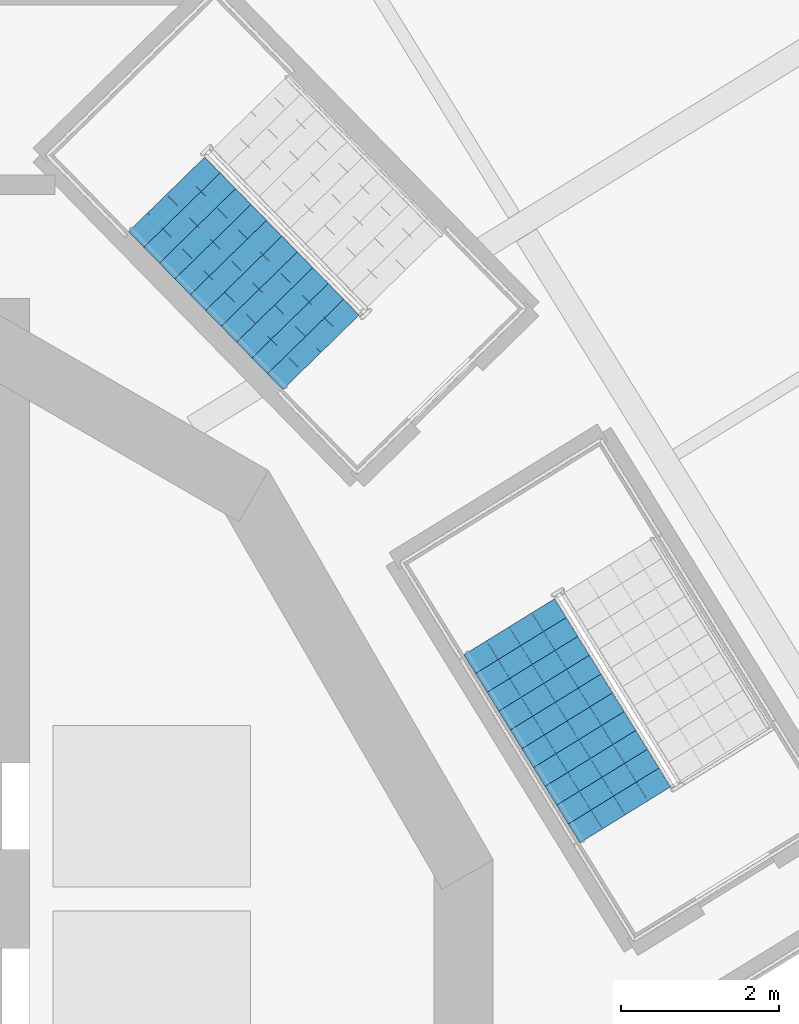
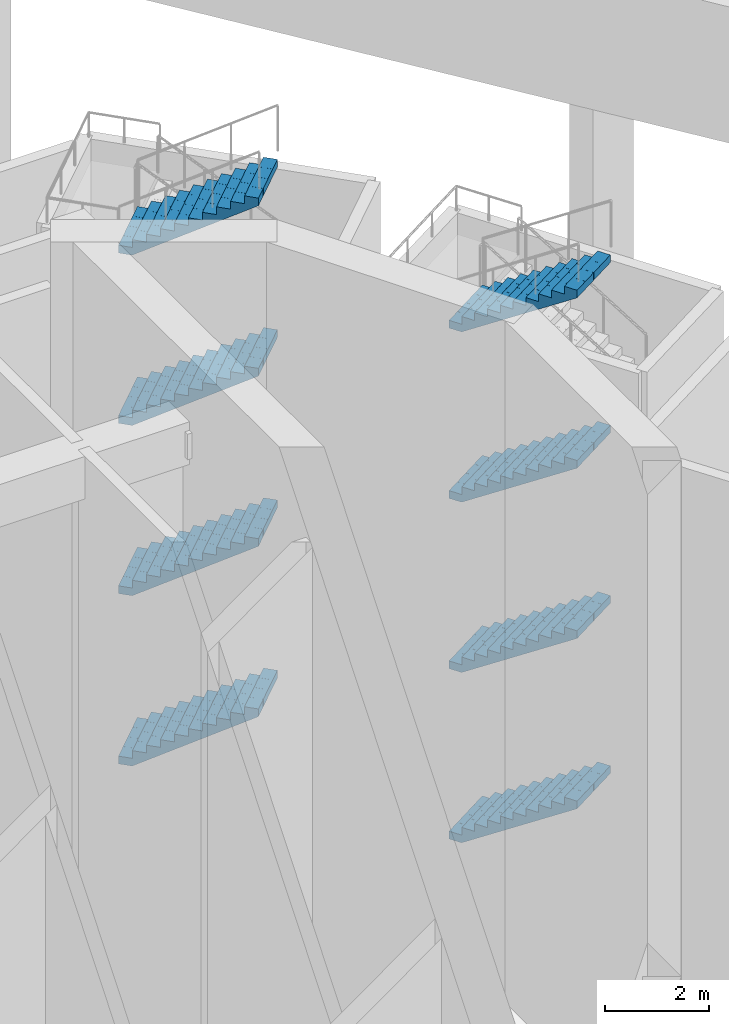
# One storey, part 7 of 15: 8 stair flights, 2 elements without a shape of their own.
"""IFC4 building model written with IfcOpenShell, lengths in metres."""

from ifc_helpers import new_model, si_unit, direction, frame, origin, place, context, subcontext, project, spatial, polyline, outline, extrude, material, type_object, element, aggregate, save


model = new_model("IFC4")

# Units and contexts
model_context = context("Model", 3, precision=1e-05, world=origin(), true_north=direction((0.0, 1.0)))
body_context = subcontext(model_context, "Body", "Model", "MODEL_VIEW")
ifc_project = project(units=[si_unit("LENGTHUNIT", "METRE"), si_unit("AREAUNIT", "SQUARE_METRE"), si_unit("VOLUMEUNIT", "CUBIC_METRE"), si_unit("PLANEANGLEUNIT", "RADIAN"), si_unit("MASSUNIT", "GRAM", prefix="KILO")], contexts=[model_context])

# Site, building, storey
site_placement = place(None, origin())
site = spatial("IfcSite", under=ifc_project, at=site_placement, CompositionType="ELEMENT")
building_placement = place(site_placement, origin())
building = spatial("IfcBuilding", under=site, at=building_placement, Name="Cantera Rosa Tower", CompositionType="ELEMENT")
storey_placement = place(building_placement, frame((0.0, 0.0, 189.39990234375)))
storey = spatial("IfcBuildingStorey", under=building, at=storey_placement, Name="L42", CompositionType="ELEMENT", Elevation=189.39990234375)

# Stair, stair flights
ifc_material_1 = material(Name="Concrete C35/45", Category="concrete")
stair_type = type_object("IfcStairType", Name="EXIT STAIR 1350 DOGLEG", PredefinedType="HALF_TURN_STAIR", material=ifc_material_1)
stair_1_placement = place(storey_placement, origin())
stair_1 = element("IfcStair", 1, at=stair_1_placement, inside=storey, type_object=stair_type, Name="L42 ST-41", PredefinedType="HALF_TURN_STAIR")
ifc_material_2 = material(Name="Concrete C35/45", Category="concrete")
stair_flight_type = type_object("IfcStairFlightType", Name="STAIR FLIGHT 1350 R88x182", PredefinedType="STRAIGHT", material=ifc_material_2)
stair_flight_1_placement = place(storey_placement, frame((10.82666015625, 5.7978515625, 2.0), z_axis=(0.0, 0.0, 1.0), x_axis=(0.524976585286, -0.851116669383, 0.0)))
stair_flight_1 = element("IfcStairFlight", 2, at=stair_flight_1_placement, type_object=stair_flight_type, Name="ST-41 flight 2", NumberOfRisers=11, NumberOfTreads=10, PredefinedType="STRAIGHT", RiserHeight=0.181818182, TreadLength=0.28, context=body_context, shape_type="SweptSolid", body=[
    extrude(outline(polyline([(0.0, 0.0), (0.0, 0.181884765625), (0.280029296875, 0.181884765625), (0.280029296875, 0.363525390625), (0.56005859375, 0.363525390625), (0.56005859375, 0.54541015625), (0.840087890625, 0.54541015625), (0.840087890625, 0.727294921875), (1.1201171875, 0.727294921875), (1.1201171875, 0.9091796875), (1.39990234375, 0.9091796875), (1.39990234375, 1.0908203125), (1.679931640625, 1.0908203125), (1.679931640625, 1.272705078125), (1.9599609375, 1.272705078125), (1.9599609375, 1.45458984375), (2.239990234375, 1.45458984375), (2.239990234375, 1.636474609375), (2.52001953125, 1.636474609375), (2.52001953125, 1.818115234375), (2.800048828125, 1.818115234375), (2.800048828125, 2.0), (2.800048828125, 1.639404296875), (0.275146484375, 0.0), (0.0, 0.0)])), frame((0.0, 0.675048828125, 0.0), z_axis=(0.0, -1.0, 0.0), x_axis=(1.0, 0.0, 0.0)), (0.0, 0.0, 1.0), 0.3359375),
    extrude(outline(polyline([(0.0, 0.0), (0.0, 0.181884765625), (0.280029296875, 0.181884765625), (0.280029296875, 0.363525390625), (0.56005859375, 0.363525390625), (0.56005859375, 0.54541015625), (0.840087890625, 0.54541015625), (0.840087890625, 0.727294921875), (1.1201171875, 0.727294921875), (1.1201171875, 0.9091796875), (1.39990234375, 0.9091796875), (1.39990234375, 1.0908203125), (1.679931640625, 1.0908203125), (1.679931640625, 1.272705078125), (1.9599609375, 1.272705078125), (1.9599609375, 1.45458984375), (2.239990234375, 1.45458984375), (2.239990234375, 1.636474609375), (2.52001953125, 1.636474609375), (2.52001953125, 1.818115234375), (2.800048828125, 1.818115234375), (2.800048828125, 2.0), (2.800048828125, 1.639404296875), (0.275146484375, 0.0), (0.0, 0.0)])), frame((0.0, 0.337158203125, 0.0), z_axis=(0.0, -1.0, 0.0), x_axis=(1.0, 0.0, 0.0)), (0.0, 0.0, 1.0), 0.3359375),
    extrude(outline(polyline([(0.0, 0.0), (0.0, 0.181884765625), (0.280029296875, 0.181884765625), (0.280029296875, 0.363525390625), (0.56005859375, 0.363525390625), (0.56005859375, 0.54541015625), (0.840087890625, 0.54541015625), (0.840087890625, 0.727294921875), (1.1201171875, 0.727294921875), (1.1201171875, 0.9091796875), (1.39990234375, 0.9091796875), (1.39990234375, 1.0908203125), (1.679931640625, 1.0908203125), (1.679931640625, 1.272705078125), (1.9599609375, 1.272705078125), (1.9599609375, 1.45458984375), (2.239990234375, 1.45458984375), (2.239990234375, 1.636474609375), (2.52001953125, 1.636474609375), (2.52001953125, 1.818115234375), (2.800048828125, 1.818115234375), (2.800048828125, 2.0), (2.800048828125, 1.639404296875), (0.275146484375, 0.0), (0.0, 0.0)])), frame((0.0, -0.000732421875, 0.0), z_axis=(0.0, -1.0, 0.0), x_axis=(1.0, 0.0, 0.0)), (0.0, 0.0, 1.0), 0.3359375),
    extrude(outline(polyline([(0.0, 0.0), (0.0, 0.181884765625), (0.280029296875, 0.181884765625), (0.280029296875, 0.363525390625), (0.56005859375, 0.363525390625), (0.56005859375, 0.54541015625), (0.840087890625, 0.54541015625), (0.840087890625, 0.727294921875), (1.1201171875, 0.727294921875), (1.1201171875, 0.9091796875), (1.39990234375, 0.9091796875), (1.39990234375, 1.0908203125), (1.679931640625, 1.0908203125), (1.679931640625, 1.272705078125), (1.9599609375, 1.272705078125), (1.9599609375, 1.45458984375), (2.239990234375, 1.45458984375), (2.239990234375, 1.636474609375), (2.52001953125, 1.636474609375), (2.52001953125, 1.818115234375), (2.800048828125, 1.818115234375), (2.800048828125, 2.0), (2.800048828125, 1.639404296875), (0.275146484375, 0.0), (0.0, 0.0)])), frame((0.0, -0.338623046875, 0.0), z_axis=(0.0, -1.0, 0.0), x_axis=(1.0, 0.0, 0.0)), (0.0, 0.0, 1.0), 0.3359375),
])
stair_flight_2_placement = place(storey_placement, frame((10.82666015625, 5.7978515625, 6.0), z_axis=(0.0, 0.0, 1.0), x_axis=(0.524976585286, -0.851116669383, 0.0)))
stair_flight_2 = element("IfcStairFlight", 3, at=stair_flight_2_placement, type_object=stair_flight_type, Name="ST-41 flight 4", NumberOfRisers=11, NumberOfTreads=10, PredefinedType="STRAIGHT", RiserHeight=0.181818182, TreadLength=0.28, context=body_context, shape_type="SweptSolid", body=[
    extrude(outline(polyline([(0.0, 0.0), (0.0, 0.181884765625), (0.280029296875, 0.181884765625), (0.280029296875, 0.363525390625), (0.56005859375, 0.363525390625), (0.56005859375, 0.54541015625), (0.840087890625, 0.54541015625), (0.840087890625, 0.727294921875), (1.1201171875, 0.727294921875), (1.1201171875, 0.9091796875), (1.39990234375, 0.9091796875), (1.39990234375, 1.0908203125), (1.679931640625, 1.0908203125), (1.679931640625, 1.272705078125), (1.9599609375, 1.272705078125), (1.9599609375, 1.45458984375), (2.239990234375, 1.45458984375), (2.239990234375, 1.636474609375), (2.52001953125, 1.636474609375), (2.52001953125, 1.818115234375), (2.800048828125, 1.818115234375), (2.800048828125, 2.0), (2.800048828125, 1.639404296875), (0.275146484375, 0.0), (0.0, 0.0)])), frame((0.0, 0.675048828125, 0.0), z_axis=(0.0, -1.0, 0.0), x_axis=(1.0, 0.0, 0.0)), (0.0, 0.0, 1.0), 0.3359375),
    extrude(outline(polyline([(0.0, 0.0), (0.0, 0.181884765625), (0.280029296875, 0.181884765625), (0.280029296875, 0.363525390625), (0.56005859375, 0.363525390625), (0.56005859375, 0.54541015625), (0.840087890625, 0.54541015625), (0.840087890625, 0.727294921875), (1.1201171875, 0.727294921875), (1.1201171875, 0.9091796875), (1.39990234375, 0.9091796875), (1.39990234375, 1.0908203125), (1.679931640625, 1.0908203125), (1.679931640625, 1.272705078125), (1.9599609375, 1.272705078125), (1.9599609375, 1.45458984375), (2.239990234375, 1.45458984375), (2.239990234375, 1.636474609375), (2.52001953125, 1.636474609375), (2.52001953125, 1.818115234375), (2.800048828125, 1.818115234375), (2.800048828125, 2.0), (2.800048828125, 1.639404296875), (0.275146484375, 0.0), (0.0, 0.0)])), frame((0.0, 0.337158203125, 0.0), z_axis=(0.0, -1.0, 0.0), x_axis=(1.0, 0.0, 0.0)), (0.0, 0.0, 1.0), 0.3359375),
    extrude(outline(polyline([(0.0, 0.0), (0.0, 0.181884765625), (0.280029296875, 0.181884765625), (0.280029296875, 0.363525390625), (0.56005859375, 0.363525390625), (0.56005859375, 0.54541015625), (0.840087890625, 0.54541015625), (0.840087890625, 0.727294921875), (1.1201171875, 0.727294921875), (1.1201171875, 0.9091796875), (1.39990234375, 0.9091796875), (1.39990234375, 1.0908203125), (1.679931640625, 1.0908203125), (1.679931640625, 1.272705078125), (1.9599609375, 1.272705078125), (1.9599609375, 1.45458984375), (2.239990234375, 1.45458984375), (2.239990234375, 1.636474609375), (2.52001953125, 1.636474609375), (2.52001953125, 1.818115234375), (2.800048828125, 1.818115234375), (2.800048828125, 2.0), (2.800048828125, 1.639404296875), (0.275146484375, 0.0), (0.0, 0.0)])), frame((0.0, -0.000732421875, 0.0), z_axis=(0.0, -1.0, 0.0), x_axis=(1.0, 0.0, 0.0)), (0.0, 0.0, 1.0), 0.3359375),
    extrude(outline(polyline([(0.0, 0.0), (0.0, 0.181884765625), (0.280029296875, 0.181884765625), (0.280029296875, 0.363525390625), (0.56005859375, 0.363525390625), (0.56005859375, 0.54541015625), (0.840087890625, 0.54541015625), (0.840087890625, 0.727294921875), (1.1201171875, 0.727294921875), (1.1201171875, 0.9091796875), (1.39990234375, 0.9091796875), (1.39990234375, 1.0908203125), (1.679931640625, 1.0908203125), (1.679931640625, 1.272705078125), (1.9599609375, 1.272705078125), (1.9599609375, 1.45458984375), (2.239990234375, 1.45458984375), (2.239990234375, 1.636474609375), (2.52001953125, 1.636474609375), (2.52001953125, 1.818115234375), (2.800048828125, 1.818115234375), (2.800048828125, 2.0), (2.800048828125, 1.639404296875), (0.275146484375, 0.0), (0.0, 0.0)])), frame((0.0, -0.338623046875, 0.0), z_axis=(0.0, -1.0, 0.0), x_axis=(1.0, 0.0, 0.0)), (0.0, 0.0, 1.0), 0.3359375),
])
stair_flight_3_placement = place(storey_placement, frame((10.82666015625, 5.7978515625, 10.0), z_axis=(0.0, 0.0, 1.0), x_axis=(0.524976585286, -0.851116669383, 0.0)))
stair_flight_3 = element("IfcStairFlight", 4, at=stair_flight_3_placement, type_object=stair_flight_type, Name="ST-41 flight 6", NumberOfRisers=11, NumberOfTreads=10, PredefinedType="STRAIGHT", RiserHeight=0.181818182, TreadLength=0.28, context=body_context, shape_type="SweptSolid", body=[
    extrude(outline(polyline([(0.0, 0.0), (0.0, 0.181884765625), (0.280029296875, 0.181884765625), (0.280029296875, 0.363525390625), (0.56005859375, 0.363525390625), (0.56005859375, 0.54541015625), (0.840087890625, 0.54541015625), (0.840087890625, 0.727294921875), (1.1201171875, 0.727294921875), (1.1201171875, 0.9091796875), (1.39990234375, 0.9091796875), (1.39990234375, 1.0908203125), (1.679931640625, 1.0908203125), (1.679931640625, 1.272705078125), (1.9599609375, 1.272705078125), (1.9599609375, 1.45458984375), (2.239990234375, 1.45458984375), (2.239990234375, 1.636474609375), (2.52001953125, 1.636474609375), (2.52001953125, 1.818115234375), (2.800048828125, 1.818115234375), (2.800048828125, 2.0), (2.800048828125, 1.639404296875), (0.275146484375, 0.0), (0.0, 0.0)])), frame((0.0, 0.675048828125, 0.0), z_axis=(0.0, -1.0, 0.0), x_axis=(1.0, 0.0, 0.0)), (0.0, 0.0, 1.0), 0.3359375),
    extrude(outline(polyline([(0.0, 0.0), (0.0, 0.181884765625), (0.280029296875, 0.181884765625), (0.280029296875, 0.363525390625), (0.56005859375, 0.363525390625), (0.56005859375, 0.54541015625), (0.840087890625, 0.54541015625), (0.840087890625, 0.727294921875), (1.1201171875, 0.727294921875), (1.1201171875, 0.9091796875), (1.39990234375, 0.9091796875), (1.39990234375, 1.0908203125), (1.679931640625, 1.0908203125), (1.679931640625, 1.272705078125), (1.9599609375, 1.272705078125), (1.9599609375, 1.45458984375), (2.239990234375, 1.45458984375), (2.239990234375, 1.636474609375), (2.52001953125, 1.636474609375), (2.52001953125, 1.818115234375), (2.800048828125, 1.818115234375), (2.800048828125, 2.0), (2.800048828125, 1.639404296875), (0.275146484375, 0.0), (0.0, 0.0)])), frame((0.0, 0.337158203125, 0.0), z_axis=(0.0, -1.0, 0.0), x_axis=(1.0, 0.0, 0.0)), (0.0, 0.0, 1.0), 0.3359375),
    extrude(outline(polyline([(0.0, 0.0), (0.0, 0.181884765625), (0.280029296875, 0.181884765625), (0.280029296875, 0.363525390625), (0.56005859375, 0.363525390625), (0.56005859375, 0.54541015625), (0.840087890625, 0.54541015625), (0.840087890625, 0.727294921875), (1.1201171875, 0.727294921875), (1.1201171875, 0.9091796875), (1.39990234375, 0.9091796875), (1.39990234375, 1.0908203125), (1.679931640625, 1.0908203125), (1.679931640625, 1.272705078125), (1.9599609375, 1.272705078125), (1.9599609375, 1.45458984375), (2.239990234375, 1.45458984375), (2.239990234375, 1.636474609375), (2.52001953125, 1.636474609375), (2.52001953125, 1.818115234375), (2.800048828125, 1.818115234375), (2.800048828125, 2.0), (2.800048828125, 1.639404296875), (0.275146484375, 0.0), (0.0, 0.0)])), frame((0.0, -0.000732421875, 0.0), z_axis=(0.0, -1.0, 0.0), x_axis=(1.0, 0.0, 0.0)), (0.0, 0.0, 1.0), 0.3359375),
    extrude(outline(polyline([(0.0, 0.0), (0.0, 0.181884765625), (0.280029296875, 0.181884765625), (0.280029296875, 0.363525390625), (0.56005859375, 0.363525390625), (0.56005859375, 0.54541015625), (0.840087890625, 0.54541015625), (0.840087890625, 0.727294921875), (1.1201171875, 0.727294921875), (1.1201171875, 0.9091796875), (1.39990234375, 0.9091796875), (1.39990234375, 1.0908203125), (1.679931640625, 1.0908203125), (1.679931640625, 1.272705078125), (1.9599609375, 1.272705078125), (1.9599609375, 1.45458984375), (2.239990234375, 1.45458984375), (2.239990234375, 1.636474609375), (2.52001953125, 1.636474609375), (2.52001953125, 1.818115234375), (2.800048828125, 1.818115234375), (2.800048828125, 2.0), (2.800048828125, 1.639404296875), (0.275146484375, 0.0), (0.0, 0.0)])), frame((0.0, -0.338623046875, 0.0), z_axis=(0.0, -1.0, 0.0), x_axis=(1.0, 0.0, 0.0)), (0.0, 0.0, 1.0), 0.3359375),
])
stair_flight_4_placement = place(storey_placement, frame((10.82666015625, 5.7978515625, 14.0), z_axis=(0.0, 0.0, 1.0), x_axis=(0.524976585286, -0.851116669383, 0.0)))
stair_flight_4 = element("IfcStairFlight", 5, at=stair_flight_4_placement, type_object=stair_flight_type, Name="ST-41 flight 8", NumberOfRisers=11, NumberOfTreads=10, PredefinedType="STRAIGHT", RiserHeight=0.181818182, TreadLength=0.28, context=body_context, shape_type="SweptSolid", body=[
    extrude(outline(polyline([(0.0, 0.0), (0.0, 0.181884765625), (0.280029296875, 0.181884765625), (0.280029296875, 0.363525390625), (0.56005859375, 0.363525390625), (0.56005859375, 0.54541015625), (0.840087890625, 0.54541015625), (0.840087890625, 0.727294921875), (1.1201171875, 0.727294921875), (1.1201171875, 0.9091796875), (1.39990234375, 0.9091796875), (1.39990234375, 1.0908203125), (1.679931640625, 1.0908203125), (1.679931640625, 1.272705078125), (1.9599609375, 1.272705078125), (1.9599609375, 1.45458984375), (2.239990234375, 1.45458984375), (2.239990234375, 1.636474609375), (2.52001953125, 1.636474609375), (2.52001953125, 1.818115234375), (2.800048828125, 1.818115234375), (2.800048828125, 2.0), (2.800048828125, 1.639404296875), (0.275146484375, 0.0), (0.0, 0.0)])), frame((0.0, 0.675048828125, 0.0), z_axis=(0.0, -1.0, 0.0), x_axis=(1.0, 0.0, 0.0)), (0.0, 0.0, 1.0), 0.3359375),
    extrude(outline(polyline([(0.0, 0.0), (0.0, 0.181884765625), (0.280029296875, 0.181884765625), (0.280029296875, 0.363525390625), (0.56005859375, 0.363525390625), (0.56005859375, 0.54541015625), (0.840087890625, 0.54541015625), (0.840087890625, 0.727294921875), (1.1201171875, 0.727294921875), (1.1201171875, 0.9091796875), (1.39990234375, 0.9091796875), (1.39990234375, 1.0908203125), (1.679931640625, 1.0908203125), (1.679931640625, 1.272705078125), (1.9599609375, 1.272705078125), (1.9599609375, 1.45458984375), (2.239990234375, 1.45458984375), (2.239990234375, 1.636474609375), (2.52001953125, 1.636474609375), (2.52001953125, 1.818115234375), (2.800048828125, 1.818115234375), (2.800048828125, 2.0), (2.800048828125, 1.639404296875), (0.275146484375, 0.0), (0.0, 0.0)])), frame((0.0, 0.337158203125, 0.0), z_axis=(0.0, -1.0, 0.0), x_axis=(1.0, 0.0, 0.0)), (0.0, 0.0, 1.0), 0.3359375),
    extrude(outline(polyline([(0.0, 0.0), (0.0, 0.181884765625), (0.280029296875, 0.181884765625), (0.280029296875, 0.363525390625), (0.56005859375, 0.363525390625), (0.56005859375, 0.54541015625), (0.840087890625, 0.54541015625), (0.840087890625, 0.727294921875), (1.1201171875, 0.727294921875), (1.1201171875, 0.9091796875), (1.39990234375, 0.9091796875), (1.39990234375, 1.0908203125), (1.679931640625, 1.0908203125), (1.679931640625, 1.272705078125), (1.9599609375, 1.272705078125), (1.9599609375, 1.45458984375), (2.239990234375, 1.45458984375), (2.239990234375, 1.636474609375), (2.52001953125, 1.636474609375), (2.52001953125, 1.818115234375), (2.800048828125, 1.818115234375), (2.800048828125, 2.0), (2.800048828125, 1.639404296875), (0.275146484375, 0.0), (0.0, 0.0)])), frame((0.0, -0.000732421875, 0.0), z_axis=(0.0, -1.0, 0.0), x_axis=(1.0, 0.0, 0.0)), (0.0, 0.0, 1.0), 0.3359375),
    extrude(outline(polyline([(0.0, 0.0), (0.0, 0.181884765625), (0.280029296875, 0.181884765625), (0.280029296875, 0.363525390625), (0.56005859375, 0.363525390625), (0.56005859375, 0.54541015625), (0.840087890625, 0.54541015625), (0.840087890625, 0.727294921875), (1.1201171875, 0.727294921875), (1.1201171875, 0.9091796875), (1.39990234375, 0.9091796875), (1.39990234375, 1.0908203125), (1.679931640625, 1.0908203125), (1.679931640625, 1.272705078125), (1.9599609375, 1.272705078125), (1.9599609375, 1.45458984375), (2.239990234375, 1.45458984375), (2.239990234375, 1.636474609375), (2.52001953125, 1.636474609375), (2.52001953125, 1.818115234375), (2.800048828125, 1.818115234375), (2.800048828125, 2.0), (2.800048828125, 1.639404296875), (0.275146484375, 0.0), (0.0, 0.0)])), frame((0.0, -0.338623046875, 0.0), z_axis=(0.0, -1.0, 0.0), x_axis=(1.0, 0.0, 0.0)), (0.0, 0.0, 1.0), 0.3359375),
])
aggregate(stair_1, [stair_flight_1, stair_flight_2, stair_flight_3, stair_flight_4])

stair_2_placement = place(storey_placement, origin())
stair_2 = element("IfcStair", 6, at=stair_2_placement, inside=storey, type_object=stair_type, Name="L42 ST-42", PredefinedType="HALF_TURN_STAIR")
stair_flight_5_placement = place(storey_placement, frame((6.485107421875, 11.27734375, 2.0), z_axis=(0.0, 0.0, 1.0), x_axis=(0.698831536207, -0.715286295132, 0.0)))
stair_flight_5 = element("IfcStairFlight", 7, at=stair_flight_5_placement, type_object=stair_flight_type, Name="ST-42 flight 2", NumberOfRisers=11, NumberOfTreads=10, PredefinedType="STRAIGHT", RiserHeight=0.181818182, TreadLength=0.28, context=body_context, shape_type="SweptSolid", body=[
    extrude(outline(polyline([(0.0, 0.0), (0.0, 0.181884765625), (0.280029296875, 0.181884765625), (0.280029296875, 0.363525390625), (0.56005859375, 0.363525390625), (0.56005859375, 0.54541015625), (0.840087890625, 0.54541015625), (0.840087890625, 0.727294921875), (1.1201171875, 0.727294921875), (1.1201171875, 0.9091796875), (1.39990234375, 0.9091796875), (1.39990234375, 1.0908203125), (1.679931640625, 1.0908203125), (1.679931640625, 1.272705078125), (1.9599609375, 1.272705078125), (1.9599609375, 1.45458984375), (2.239990234375, 1.45458984375), (2.239990234375, 1.636474609375), (2.52001953125, 1.636474609375), (2.52001953125, 1.818115234375), (2.800048828125, 1.818115234375), (2.800048828125, 2.0), (2.800048828125, 1.639404296875), (0.275146484375, 0.0), (0.0, 0.0)])), frame((0.0, 0.675048828125, 0.0), z_axis=(0.0, -1.0, 0.0), x_axis=(1.0, 0.0, 0.0)), (0.0, 0.0, 1.0), 0.3359375),
    extrude(outline(polyline([(0.0, 0.0), (0.0, 0.181884765625), (0.280029296875, 0.181884765625), (0.280029296875, 0.363525390625), (0.56005859375, 0.363525390625), (0.56005859375, 0.54541015625), (0.840087890625, 0.54541015625), (0.840087890625, 0.727294921875), (1.1201171875, 0.727294921875), (1.1201171875, 0.9091796875), (1.39990234375, 0.9091796875), (1.39990234375, 1.0908203125), (1.679931640625, 1.0908203125), (1.679931640625, 1.272705078125), (1.9599609375, 1.272705078125), (1.9599609375, 1.45458984375), (2.239990234375, 1.45458984375), (2.239990234375, 1.636474609375), (2.52001953125, 1.636474609375), (2.52001953125, 1.818115234375), (2.800048828125, 1.818115234375), (2.800048828125, 2.0), (2.800048828125, 1.639404296875), (0.275146484375, 0.0), (0.0, 0.0)])), frame((0.0, 0.337158203125, 0.0), z_axis=(0.0, -1.0, 0.0), x_axis=(1.0, 0.0, 0.0)), (0.0, 0.0, 1.0), 0.3359375),
    extrude(outline(polyline([(0.0, 0.0), (0.0, 0.181884765625), (0.280029296875, 0.181884765625), (0.280029296875, 0.363525390625), (0.56005859375, 0.363525390625), (0.56005859375, 0.54541015625), (0.840087890625, 0.54541015625), (0.840087890625, 0.727294921875), (1.1201171875, 0.727294921875), (1.1201171875, 0.9091796875), (1.39990234375, 0.9091796875), (1.39990234375, 1.0908203125), (1.679931640625, 1.0908203125), (1.679931640625, 1.272705078125), (1.9599609375, 1.272705078125), (1.9599609375, 1.45458984375), (2.239990234375, 1.45458984375), (2.239990234375, 1.636474609375), (2.52001953125, 1.636474609375), (2.52001953125, 1.818115234375), (2.800048828125, 1.818115234375), (2.800048828125, 2.0), (2.800048828125, 1.639404296875), (0.275146484375, 0.0), (0.0, 0.0)])), frame((0.0, -0.000732421875, 0.0), z_axis=(0.0, -1.0, 0.0), x_axis=(1.0, 0.0, 0.0)), (0.0, 0.0, 1.0), 0.3359375),
    extrude(outline(polyline([(0.0, 0.0), (0.0, 0.181884765625), (0.280029296875, 0.181884765625), (0.280029296875, 0.363525390625), (0.56005859375, 0.363525390625), (0.56005859375, 0.54541015625), (0.840087890625, 0.54541015625), (0.840087890625, 0.727294921875), (1.1201171875, 0.727294921875), (1.1201171875, 0.9091796875), (1.39990234375, 0.9091796875), (1.39990234375, 1.0908203125), (1.679931640625, 1.0908203125), (1.679931640625, 1.272705078125), (1.9599609375, 1.272705078125), (1.9599609375, 1.45458984375), (2.239990234375, 1.45458984375), (2.239990234375, 1.636474609375), (2.52001953125, 1.636474609375), (2.52001953125, 1.818115234375), (2.800048828125, 1.818115234375), (2.800048828125, 2.0), (2.800048828125, 1.639404296875), (0.275146484375, 0.0), (0.0, 0.0)])), frame((0.0, -0.338623046875, 0.0), z_axis=(0.0, -1.0, 0.0), x_axis=(1.0, 0.0, 0.0)), (0.0, 0.0, 1.0), 0.3359375),
])
stair_flight_6_placement = place(storey_placement, frame((6.485107421875, 11.27734375, 6.0), z_axis=(0.0, 0.0, 1.0), x_axis=(0.698831536207, -0.715286295132, 0.0)))
stair_flight_6 = element("IfcStairFlight", 8, at=stair_flight_6_placement, type_object=stair_flight_type, Name="ST-42 flight 4", NumberOfRisers=11, NumberOfTreads=10, PredefinedType="STRAIGHT", RiserHeight=0.181818182, TreadLength=0.28, context=body_context, shape_type="SweptSolid", body=[
    extrude(outline(polyline([(0.0, 0.0), (0.0, 0.181884765625), (0.280029296875, 0.181884765625), (0.280029296875, 0.363525390625), (0.56005859375, 0.363525390625), (0.56005859375, 0.54541015625), (0.840087890625, 0.54541015625), (0.840087890625, 0.727294921875), (1.1201171875, 0.727294921875), (1.1201171875, 0.9091796875), (1.39990234375, 0.9091796875), (1.39990234375, 1.0908203125), (1.679931640625, 1.0908203125), (1.679931640625, 1.272705078125), (1.9599609375, 1.272705078125), (1.9599609375, 1.45458984375), (2.239990234375, 1.45458984375), (2.239990234375, 1.636474609375), (2.52001953125, 1.636474609375), (2.52001953125, 1.818115234375), (2.800048828125, 1.818115234375), (2.800048828125, 2.0), (2.800048828125, 1.639404296875), (0.275146484375, 0.0), (0.0, 0.0)])), frame((0.0, 0.675048828125, 0.0), z_axis=(0.0, -1.0, 0.0), x_axis=(1.0, 0.0, 0.0)), (0.0, 0.0, 1.0), 0.3359375),
    extrude(outline(polyline([(0.0, 0.0), (0.0, 0.181884765625), (0.280029296875, 0.181884765625), (0.280029296875, 0.363525390625), (0.56005859375, 0.363525390625), (0.56005859375, 0.54541015625), (0.840087890625, 0.54541015625), (0.840087890625, 0.727294921875), (1.1201171875, 0.727294921875), (1.1201171875, 0.9091796875), (1.39990234375, 0.9091796875), (1.39990234375, 1.0908203125), (1.679931640625, 1.0908203125), (1.679931640625, 1.272705078125), (1.9599609375, 1.272705078125), (1.9599609375, 1.45458984375), (2.239990234375, 1.45458984375), (2.239990234375, 1.636474609375), (2.52001953125, 1.636474609375), (2.52001953125, 1.818115234375), (2.800048828125, 1.818115234375), (2.800048828125, 2.0), (2.800048828125, 1.639404296875), (0.275146484375, 0.0), (0.0, 0.0)])), frame((0.0, 0.337158203125, 0.0), z_axis=(0.0, -1.0, 0.0), x_axis=(1.0, 0.0, 0.0)), (0.0, 0.0, 1.0), 0.3359375),
    extrude(outline(polyline([(0.0, 0.0), (0.0, 0.181884765625), (0.280029296875, 0.181884765625), (0.280029296875, 0.363525390625), (0.56005859375, 0.363525390625), (0.56005859375, 0.54541015625), (0.840087890625, 0.54541015625), (0.840087890625, 0.727294921875), (1.1201171875, 0.727294921875), (1.1201171875, 0.9091796875), (1.39990234375, 0.9091796875), (1.39990234375, 1.0908203125), (1.679931640625, 1.0908203125), (1.679931640625, 1.272705078125), (1.9599609375, 1.272705078125), (1.9599609375, 1.45458984375), (2.239990234375, 1.45458984375), (2.239990234375, 1.636474609375), (2.52001953125, 1.636474609375), (2.52001953125, 1.818115234375), (2.800048828125, 1.818115234375), (2.800048828125, 2.0), (2.800048828125, 1.639404296875), (0.275146484375, 0.0), (0.0, 0.0)])), frame((0.0, -0.000732421875, 0.0), z_axis=(0.0, -1.0, 0.0), x_axis=(1.0, 0.0, 0.0)), (0.0, 0.0, 1.0), 0.3359375),
    extrude(outline(polyline([(0.0, 0.0), (0.0, 0.181884765625), (0.280029296875, 0.181884765625), (0.280029296875, 0.363525390625), (0.56005859375, 0.363525390625), (0.56005859375, 0.54541015625), (0.840087890625, 0.54541015625), (0.840087890625, 0.727294921875), (1.1201171875, 0.727294921875), (1.1201171875, 0.9091796875), (1.39990234375, 0.9091796875), (1.39990234375, 1.0908203125), (1.679931640625, 1.0908203125), (1.679931640625, 1.272705078125), (1.9599609375, 1.272705078125), (1.9599609375, 1.45458984375), (2.239990234375, 1.45458984375), (2.239990234375, 1.636474609375), (2.52001953125, 1.636474609375), (2.52001953125, 1.818115234375), (2.800048828125, 1.818115234375), (2.800048828125, 2.0), (2.800048828125, 1.639404296875), (0.275146484375, 0.0), (0.0, 0.0)])), frame((0.0, -0.338623046875, 0.0), z_axis=(0.0, -1.0, 0.0), x_axis=(1.0, 0.0, 0.0)), (0.0, 0.0, 1.0), 0.3359375),
])
stair_flight_7_placement = place(storey_placement, frame((6.485107421875, 11.27734375, 10.0), z_axis=(0.0, 0.0, 1.0), x_axis=(0.698831536207, -0.715286295132, 0.0)))
stair_flight_7 = element("IfcStairFlight", 9, at=stair_flight_7_placement, type_object=stair_flight_type, Name="ST-42 flight 6", NumberOfRisers=11, NumberOfTreads=10, PredefinedType="STRAIGHT", RiserHeight=0.181818182, TreadLength=0.28, context=body_context, shape_type="SweptSolid", body=[
    extrude(outline(polyline([(0.0, 0.0), (0.0, 0.181884765625), (0.280029296875, 0.181884765625), (0.280029296875, 0.363525390625), (0.56005859375, 0.363525390625), (0.56005859375, 0.54541015625), (0.840087890625, 0.54541015625), (0.840087890625, 0.727294921875), (1.1201171875, 0.727294921875), (1.1201171875, 0.9091796875), (1.39990234375, 0.9091796875), (1.39990234375, 1.0908203125), (1.679931640625, 1.0908203125), (1.679931640625, 1.272705078125), (1.9599609375, 1.272705078125), (1.9599609375, 1.45458984375), (2.239990234375, 1.45458984375), (2.239990234375, 1.636474609375), (2.52001953125, 1.636474609375), (2.52001953125, 1.818115234375), (2.800048828125, 1.818115234375), (2.800048828125, 2.0), (2.800048828125, 1.639404296875), (0.275146484375, 0.0), (0.0, 0.0)])), frame((0.0, 0.675048828125, 0.0), z_axis=(0.0, -1.0, 0.0), x_axis=(1.0, 0.0, 0.0)), (0.0, 0.0, 1.0), 0.3359375),
    extrude(outline(polyline([(0.0, 0.0), (0.0, 0.181884765625), (0.280029296875, 0.181884765625), (0.280029296875, 0.363525390625), (0.56005859375, 0.363525390625), (0.56005859375, 0.54541015625), (0.840087890625, 0.54541015625), (0.840087890625, 0.727294921875), (1.1201171875, 0.727294921875), (1.1201171875, 0.9091796875), (1.39990234375, 0.9091796875), (1.39990234375, 1.0908203125), (1.679931640625, 1.0908203125), (1.679931640625, 1.272705078125), (1.9599609375, 1.272705078125), (1.9599609375, 1.45458984375), (2.239990234375, 1.45458984375), (2.239990234375, 1.636474609375), (2.52001953125, 1.636474609375), (2.52001953125, 1.818115234375), (2.800048828125, 1.818115234375), (2.800048828125, 2.0), (2.800048828125, 1.639404296875), (0.275146484375, 0.0), (0.0, 0.0)])), frame((0.0, 0.337158203125, 0.0), z_axis=(0.0, -1.0, 0.0), x_axis=(1.0, 0.0, 0.0)), (0.0, 0.0, 1.0), 0.3359375),
    extrude(outline(polyline([(0.0, 0.0), (0.0, 0.181884765625), (0.280029296875, 0.181884765625), (0.280029296875, 0.363525390625), (0.56005859375, 0.363525390625), (0.56005859375, 0.54541015625), (0.840087890625, 0.54541015625), (0.840087890625, 0.727294921875), (1.1201171875, 0.727294921875), (1.1201171875, 0.9091796875), (1.39990234375, 0.9091796875), (1.39990234375, 1.0908203125), (1.679931640625, 1.0908203125), (1.679931640625, 1.272705078125), (1.9599609375, 1.272705078125), (1.9599609375, 1.45458984375), (2.239990234375, 1.45458984375), (2.239990234375, 1.636474609375), (2.52001953125, 1.636474609375), (2.52001953125, 1.818115234375), (2.800048828125, 1.818115234375), (2.800048828125, 2.0), (2.800048828125, 1.639404296875), (0.275146484375, 0.0), (0.0, 0.0)])), frame((0.0, -0.000732421875, 0.0), z_axis=(0.0, -1.0, 0.0), x_axis=(1.0, 0.0, 0.0)), (0.0, 0.0, 1.0), 0.3359375),
    extrude(outline(polyline([(0.0, 0.0), (0.0, 0.181884765625), (0.280029296875, 0.181884765625), (0.280029296875, 0.363525390625), (0.56005859375, 0.363525390625), (0.56005859375, 0.54541015625), (0.840087890625, 0.54541015625), (0.840087890625, 0.727294921875), (1.1201171875, 0.727294921875), (1.1201171875, 0.9091796875), (1.39990234375, 0.9091796875), (1.39990234375, 1.0908203125), (1.679931640625, 1.0908203125), (1.679931640625, 1.272705078125), (1.9599609375, 1.272705078125), (1.9599609375, 1.45458984375), (2.239990234375, 1.45458984375), (2.239990234375, 1.636474609375), (2.52001953125, 1.636474609375), (2.52001953125, 1.818115234375), (2.800048828125, 1.818115234375), (2.800048828125, 2.0), (2.800048828125, 1.639404296875), (0.275146484375, 0.0), (0.0, 0.0)])), frame((0.0, -0.338623046875, 0.0), z_axis=(0.0, -1.0, 0.0), x_axis=(1.0, 0.0, 0.0)), (0.0, 0.0, 1.0), 0.3359375),
])
stair_flight_8_placement = place(storey_placement, frame((6.485107421875, 11.27734375, 14.0), z_axis=(0.0, 0.0, 1.0), x_axis=(0.698831536207, -0.715286295132, 0.0)))
stair_flight_8 = element("IfcStairFlight", 10, at=stair_flight_8_placement, type_object=stair_flight_type, Name="ST-42 flight 8", NumberOfRisers=11, NumberOfTreads=10, PredefinedType="STRAIGHT", RiserHeight=0.181818182, TreadLength=0.28, context=body_context, shape_type="SweptSolid", body=[
    extrude(outline(polyline([(0.0, 0.0), (0.0, 0.181884765625), (0.280029296875, 0.181884765625), (0.280029296875, 0.363525390625), (0.56005859375, 0.363525390625), (0.56005859375, 0.54541015625), (0.840087890625, 0.54541015625), (0.840087890625, 0.727294921875), (1.1201171875, 0.727294921875), (1.1201171875, 0.9091796875), (1.39990234375, 0.9091796875), (1.39990234375, 1.0908203125), (1.679931640625, 1.0908203125), (1.679931640625, 1.272705078125), (1.9599609375, 1.272705078125), (1.9599609375, 1.45458984375), (2.239990234375, 1.45458984375), (2.239990234375, 1.636474609375), (2.52001953125, 1.636474609375), (2.52001953125, 1.818115234375), (2.800048828125, 1.818115234375), (2.800048828125, 2.0), (2.800048828125, 1.639404296875), (0.275146484375, 0.0), (0.0, 0.0)])), frame((0.0, 0.675048828125, 0.0), z_axis=(0.0, -1.0, 0.0), x_axis=(1.0, 0.0, 0.0)), (0.0, 0.0, 1.0), 0.3359375),
    extrude(outline(polyline([(0.0, 0.0), (0.0, 0.181884765625), (0.280029296875, 0.181884765625), (0.280029296875, 0.363525390625), (0.56005859375, 0.363525390625), (0.56005859375, 0.54541015625), (0.840087890625, 0.54541015625), (0.840087890625, 0.727294921875), (1.1201171875, 0.727294921875), (1.1201171875, 0.9091796875), (1.39990234375, 0.9091796875), (1.39990234375, 1.0908203125), (1.679931640625, 1.0908203125), (1.679931640625, 1.272705078125), (1.9599609375, 1.272705078125), (1.9599609375, 1.45458984375), (2.239990234375, 1.45458984375), (2.239990234375, 1.636474609375), (2.52001953125, 1.636474609375), (2.52001953125, 1.818115234375), (2.800048828125, 1.818115234375), (2.800048828125, 2.0), (2.800048828125, 1.639404296875), (0.275146484375, 0.0), (0.0, 0.0)])), frame((0.0, 0.337158203125, 0.0), z_axis=(0.0, -1.0, 0.0), x_axis=(1.0, 0.0, 0.0)), (0.0, 0.0, 1.0), 0.3359375),
    extrude(outline(polyline([(0.0, 0.0), (0.0, 0.181884765625), (0.280029296875, 0.181884765625), (0.280029296875, 0.363525390625), (0.56005859375, 0.363525390625), (0.56005859375, 0.54541015625), (0.840087890625, 0.54541015625), (0.840087890625, 0.727294921875), (1.1201171875, 0.727294921875), (1.1201171875, 0.9091796875), (1.39990234375, 0.9091796875), (1.39990234375, 1.0908203125), (1.679931640625, 1.0908203125), (1.679931640625, 1.272705078125), (1.9599609375, 1.272705078125), (1.9599609375, 1.45458984375), (2.239990234375, 1.45458984375), (2.239990234375, 1.636474609375), (2.52001953125, 1.636474609375), (2.52001953125, 1.818115234375), (2.800048828125, 1.818115234375), (2.800048828125, 2.0), (2.800048828125, 1.639404296875), (0.275146484375, 0.0), (0.0, 0.0)])), frame((0.0, -0.000732421875, 0.0), z_axis=(0.0, -1.0, 0.0), x_axis=(1.0, 0.0, 0.0)), (0.0, 0.0, 1.0), 0.3359375),
    extrude(outline(polyline([(0.0, 0.0), (0.0, 0.181884765625), (0.280029296875, 0.181884765625), (0.280029296875, 0.363525390625), (0.56005859375, 0.363525390625), (0.56005859375, 0.54541015625), (0.840087890625, 0.54541015625), (0.840087890625, 0.727294921875), (1.1201171875, 0.727294921875), (1.1201171875, 0.9091796875), (1.39990234375, 0.9091796875), (1.39990234375, 1.0908203125), (1.679931640625, 1.0908203125), (1.679931640625, 1.272705078125), (1.9599609375, 1.272705078125), (1.9599609375, 1.45458984375), (2.239990234375, 1.45458984375), (2.239990234375, 1.636474609375), (2.52001953125, 1.636474609375), (2.52001953125, 1.818115234375), (2.800048828125, 1.818115234375), (2.800048828125, 2.0), (2.800048828125, 1.639404296875), (0.275146484375, 0.0), (0.0, 0.0)])), frame((0.0, -0.338623046875, 0.0), z_axis=(0.0, -1.0, 0.0), x_axis=(1.0, 0.0, 0.0)), (0.0, 0.0, 1.0), 0.3359375),
])
aggregate(stair_2, [stair_flight_5, stair_flight_6, stair_flight_7, stair_flight_8])

save(model, "model.ifc")
